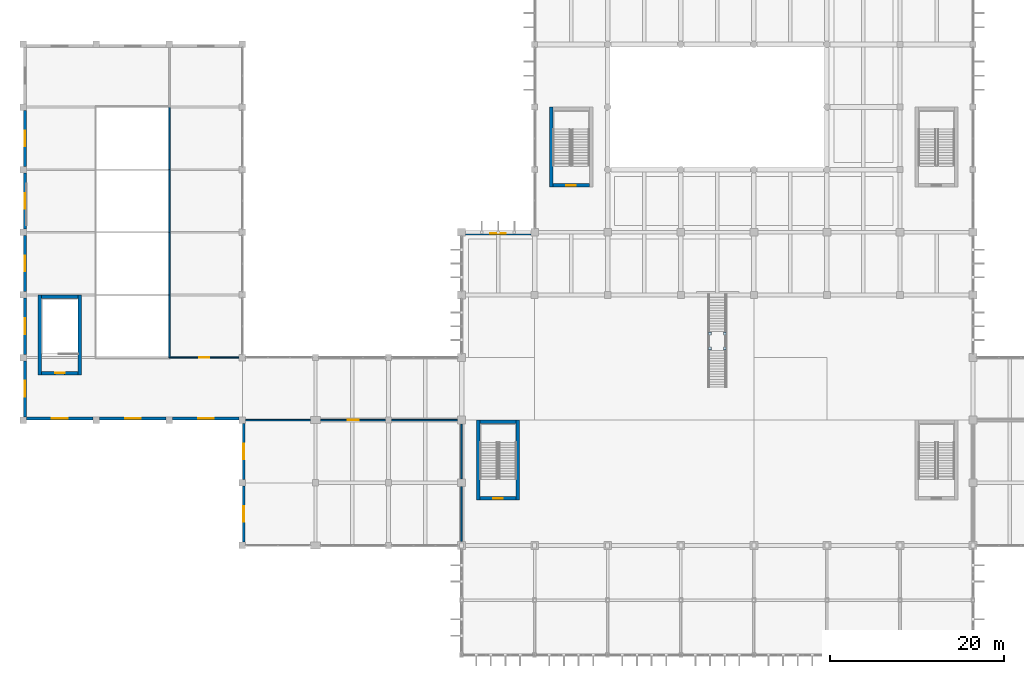
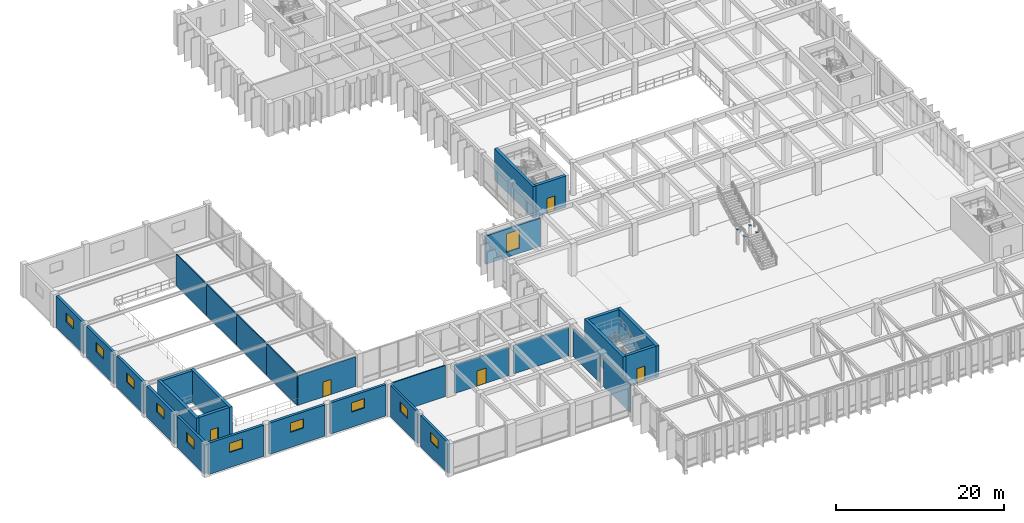
# One storey, part 31 of 51: 31 walls, 11 windows, 5 doors, 4 plates, 16 openings.
"""IFC4 building model written with IfcOpenShell, lengths in metres."""

from ifc_helpers import new_model, si_unit, direction, frame, frame_2d, origin, origin_2d, place, context, subcontext, project, spatial, rectangle, extrude, material, layer, layer_set, type_object, element, fill, save


model = new_model("IFC4")

# Units and contexts
model_context = context("Model", 3, precision=1e-05, world=origin(), true_north=direction((0.0, 1.0)))
body_context = subcontext(model_context, "Body", "Model", "MODEL_VIEW")
ifc_project = project(units=[si_unit("LENGTHUNIT", "METRE"), si_unit("AREAUNIT", "SQUARE_METRE"), si_unit("VOLUMEUNIT", "CUBIC_METRE"), si_unit("PLANEANGLEUNIT", "RADIAN"), si_unit("MASSUNIT", "GRAM", prefix="KILO")], contexts=[model_context])

# Site, building, storey
site_placement = place(None, origin())
site = spatial("IfcSite", under=ifc_project, at=site_placement, CompositionType="ELEMENT")
building_placement = place(site_placement, origin())
building = spatial("IfcBuilding", under=site, at=building_placement, Name="Kenerak Square Central Library", CompositionType="ELEMENT")
storey_placement = place(building_placement, frame((0.0, 0.0, 9.60009765625)))
storey = spatial("IfcBuildingStorey", under=building, at=storey_placement, Name="L02", CompositionType="ELEMENT", Elevation=9.60009765625)

# Plates
ifc_material_1 = material(Name="Steel S355", Category="steel")
ifc_layer_1 = layer(ifc_material_1, 0.02490234375)
ifc_layer_set_1 = layer_set([ifc_layer_1], Name="Steel S355")
plate_type = type_object("IfcPlateType", Name="Lantern Cap Plate LNP-01 25mm S355", PredefinedType="USERDEFINED", material=ifc_layer_set_1)
for number, where, z_axis, x_axis, name in (
    (1, (86.949951171875, 39.449951171875, 2.179931640625), (0.0, 0.0, 1.0), (1.0, 0.0, 0.0), "Feature Stair Post Cap ST-F2"),
    (2, (88.64990234375, 39.449951171875, 2.179931640625), (0.0, 0.0, 1.0), (1.0, 0.0, 0.0), "Feature Stair Post Cap ST-F2"),
    (3, (86.949951171875, 41.14990234375, 2.179931640625), (0.0, 0.0, 1.0), (1.0, 0.0, 0.0), "Feature Stair Post Cap ST-F2"),
    (4, (88.64990234375, 41.14990234375, 2.179931640625), (0.0, 0.0, 1.0), (1.0, 0.0, 0.0), "Feature Stair Post Cap ST-F2"),
):
    element("IfcPlate", number, at=place(storey_placement, frame(where, z_axis=z_axis, x_axis=x_axis)), inside=storey, type_object=plate_type, Name=name, ObjectType="GUSSET PLATE", PredefinedType="USERDEFINED", context=body_context, shape_type="SweptSolid", body=[
        extrude(rectangle(XDim=0.320068359375, YDim=0.320068359375, at=origin_2d()), origin(), (0.0, 0.0, 1.0), 0.0400390625),
    ])

# Wall
ifc_material_2 = material(Name="Precast concrete C40/50", Category="concrete")
ifc_layer_2 = layer(ifc_material_2, 0.14990234375)
ifc_layer_set_2 = layer_set([ifc_layer_2], Name="Precast concrete C40/50")
wall_type_1 = type_object("IfcWallType", Name="Acoustic Blockwork Partition IW-150 C40/50", PredefinedType="PARTITIONING", material=ifc_layer_set_2)
wall_1_placement = place(storey_placement, frame((33.574951171875, 31.199951171875, 0.0), z_axis=(0.0, 0.0, 1.0), x_axis=(1.0, 0.0, 0.0)))
element("IfcWall", 5, at=wall_1_placement, inside=storey, type_object=wall_type_1, Name="Interior Wall IW-L02-02-N2-B1", PredefinedType="PARTITIONING", context=body_context, shape_type="SweptSolid", body=[
    extrude(rectangle(XDim=7.425048828125, YDim=0.14990234375, at=frame_2d((3.71240234375, 0.0))), origin(), (0.0, 0.0, 1.0), 4.5498046875),
])

# Wall, opening, door
wall_2_placement = place(storey_placement, frame((42.199951171875, 31.199951171875, 0.0), z_axis=(0.0, 0.0, 1.0), x_axis=(1.0, 0.0, 0.0)))
wall_2 = element("IfcWall", 6, at=wall_2_placement, inside=storey, type_object=wall_type_1, Name="Interior Wall IW-L02-02-N2-B2", PredefinedType="PARTITIONING", context=body_context, shape_type="SweptSolid", body=[
    extrude(rectangle(XDim=7.449951171875, YDim=0.14990234375, at=frame_2d((3.72509765625, 0.0))), origin(), (0.0, 0.0, 1.0), 4.14990234375),
])
opening_1_placement = place(wall_2_placement, frame((3.10009765625, 0.0, 0.0)))
opening_1 = element("IfcOpeningElement", 7, at=opening_1_placement, cuts=wall_2, Name="Opening ID-06", PredefinedType="OPENING", context=body_context, shape_type="SweptSolid", body=[
    extrude(rectangle(XDim=1.25, YDim=2.199951171875, at=frame_2d((0.625, 1.10009765625))), frame((0.0, 0.0849609375, 0.0), z_axis=(0.0, -1.0, 0.0), x_axis=(1.0, 0.0, 0.0)), (0.0, 0.0, 1.0), 0.169921875),
])
ifc_material_3 = material(Name="Chengal hardwood timber SG1", Category="wood")
door_type_1 = type_object("IfcDoorType", Name="Studio Sliding Acoustic Door ID-1250x2200", OperationType="NOTDEFINED", PredefinedType="DOOR", material=ifc_material_3)
door_1_placement = place(opening_1_placement, origin())
door_1 = element("IfcDoor", 8, at=door_1_placement, inside=storey, type_object=door_type_1, Name="Sound Recording and Oral History Studio Suite Door", OperationType="SLIDING_TO_RIGHT", OverallHeight=2.199951171875, OverallWidth=1.25, PredefinedType="DOOR", context=body_context, shape_type="SweptSolid", body=[
    extrude(rectangle(XDim=1.25, YDim=2.199951171875, at=frame_2d((0.625, 1.10009765625))), frame((0.0, 0.02490234375, 0.0), z_axis=(0.0, -1.0, 0.0), x_axis=(1.0, 0.0, 0.0)), (0.0, 0.0, 1.0), 0.050048828125),
])
fill(opening_1, door_1)

# Wall
wall_3_placement = place(storey_placement, frame((50.35009765625, 31.199951171875, 0.0), z_axis=(0.0, 0.0, 1.0), x_axis=(1.0, 0.0, 0.0)))
element("IfcWall", 9, at=wall_3_placement, inside=storey, type_object=wall_type_1, Name="Interior Wall IW-L02-02-N2-B3", PredefinedType="PARTITIONING", context=body_context, shape_type="SweptSolid", body=[
    extrude(rectangle(XDim=7.599853515625, YDim=0.14990234375, at=frame_2d((3.7998046875, 0.0))), origin(), (0.0, 0.0, 1.0), 4.14990234375),
])

# Wall, opening, door
wall_4_placement = place(storey_placement, frame((32.824951171875, 38.39990234375, 0.0), z_axis=(0.0, 0.0, 1.0), x_axis=(-1.0, 0.0, 0.0)))
wall_4 = element("IfcWall", 10, at=wall_4_placement, inside=storey, type_object=wall_type_1, Name="Interior Wall IW-L02-04-S1-B1", PredefinedType="PARTITIONING", context=body_context, shape_type="SweptSolid", body=[
    extrude(rectangle(XDim=8.02490234375, YDim=0.14990234375, at=frame_2d((4.012451171875, 0.0))), origin(), (0.0, 0.0, 1.0), 4.2998046875),
])
opening_2_placement = place(wall_4_placement, frame((3.4375, 0.0, 0.0)))
opening_2 = element("IfcOpeningElement", 11, at=opening_2_placement, cuts=wall_4, Name="Opening ID-05", PredefinedType="OPENING", context=body_context, shape_type="SweptSolid", body=[
    extrude(rectangle(XDim=1.14990234375, YDim=2.199951171875, at=frame_2d((0.574951171875, 1.10009765625))), frame((0.0, 0.0849609375, 0.0), z_axis=(0.0, -1.0, 0.0), x_axis=(1.0, 0.0, 0.0)), (0.0, 0.0, 1.0), 0.169921875),
])
door_type_2 = type_object("IfcDoorType", Name="Seminar Room Acoustic Door ID-1150x2200", OperationType="NOTDEFINED", PredefinedType="DOOR", material=ifc_material_3)
door_2_placement = place(opening_2_placement, origin())
door_2 = element("IfcDoor", 12, at=door_2_placement, inside=storey, type_object=door_type_2, Name="Auditorium Performers Green Room and Rehearsal Suite Door", OperationType="SINGLE_SWING_LEFT", OverallHeight=2.199951171875, OverallWidth=1.14990234375, PredefinedType="DOOR", context=body_context, shape_type="SweptSolid", body=[
    extrude(rectangle(XDim=1.14990234375, YDim=2.199951171875, at=frame_2d((0.574951171875, 1.10009765625))), frame((0.0, 0.02490234375, 0.0), z_axis=(0.0, -1.0, 0.0), x_axis=(1.0, 0.0, 0.0)), (0.0, 0.0, 1.0), 0.050048828125),
])
fill(opening_2, door_2)

# Walls
for number, where, z_axis, x_axis, name in (
    (13, (58.39990234375, 30.75, 0.0), (0.0, 0.0, 1.0), (0.0, -1.0, 0.0), "Interior Wall IW-L02-02-E4-B1"),
    (14, (58.39990234375, 23.550048828125, 0.0), (0.0, 0.0, 1.0), (0.0, -1.0, 0.0), "Interior Wall IW-L02-02-E4-B2"),
):
    element("IfcWall", number, at=place(storey_placement, frame(where, z_axis=z_axis, x_axis=x_axis)), inside=storey, type_object=wall_type_1, Name=name, PredefinedType="PARTITIONING", context=body_context, shape_type="SweptSolid", body=[
        extrude(rectangle(XDim=6.300048828125, YDim=0.14990234375, at=frame_2d((3.14990234375, 0.0))), origin(), (0.0, 0.0, 1.0), 4.0498046875),
    ])
wall_5_placement = place(storey_placement, frame((24.800048828125, 38.39990234375, 0.0), z_axis=(0.0, 0.0, 1.0), x_axis=(0.0, 1.0, 0.0)))
element("IfcWall", 15, at=wall_5_placement, inside=storey, type_object=wall_type_1, Name="Interior Wall IW-L02-04-W3-B1", PredefinedType="PARTITIONING", context=body_context, shape_type="SweptSolid", body=[
    extrude(rectangle(XDim=7.2001953125, YDim=0.14990234375, at=frame_2d((3.60009765625, 0.0))), origin(), (0.0, 0.0, 1.0), 4.5498046875),
])
for number, where, z_axis, x_axis, name in (
    (16, (24.800048828125, 45.60009765625, 0.0), (0.0, 0.0, 1.0), (0.0, 1.0, 0.0), "Interior Wall IW-L02-04-W3-B2"),
    (17, (24.800048828125, 52.800048828125, 0.0), (0.0, 0.0, 1.0), (0.0, 1.0, 0.0), "Interior Wall IW-L02-04-W3-B3"),
    (18, (24.800048828125, 60.0, 0.0), (0.0, 0.0, 1.0), (0.0, 1.0, 0.0), "Interior Wall IW-L02-04-W3-B4"),
):
    element("IfcWall", number, at=place(storey_placement, frame(where, z_axis=z_axis, x_axis=x_axis)), inside=storey, type_object=wall_type_1, Name=name, PredefinedType="PARTITIONING", context=body_context, shape_type="SweptSolid", body=[
        extrude(rectangle(XDim=7.199951171875, YDim=0.14990234375, at=frame_2d((3.60009765625, 0.0))), origin(), (0.0, 0.0, 1.0), 4.5498046875),
    ])

# Wall, opening, window
ifc_material_4 = material(Name="Concrete C40/50", Category="concrete")
ifc_layer_3 = layer(ifc_material_4, 0.35009765625)
ifc_layer_set_3 = layer_set([ifc_layer_3], Name="Concrete C40/50")
wall_type_2 = type_object("IfcWallType", Name="Auditorium Fluted Acoustic Wall AW-350 C40/50", PredefinedType="SOLIDWALL", material=ifc_layer_set_3)
wall_6_placement = place(storey_placement, frame((32.824951171875, 31.375, 0.0), z_axis=(0.0, 0.0, 1.0), x_axis=(-1.0, 0.0, 0.0)))
wall_6 = element("IfcWall", 19, at=wall_6_placement, inside=storey, type_object=wall_type_2, Name="Exterior Facade Wall L02 0156", PredefinedType="SOLIDWALL", context=body_context, shape_type="SweptSolid", body=[
    extrude(rectangle(XDim=7.64990234375, YDim=0.35009765625, at=frame_2d((3.824951171875, 0.0))), origin(), (0.0, 0.0, 1.0), 4.5498046875),
])
opening_3_placement = place(wall_6_placement, frame((2.925048828125, 0.0, 2.199951171875)))
opening_3 = element("IfcOpeningElement", 20, at=opening_3_placement, cuts=wall_6, Name="Opening W-08", PredefinedType="OPENING", context=body_context, shape_type="SweptSolid", body=[
    extrude(rectangle(XDim=1.800048828125, YDim=1.35009765625, at=frame_2d((0.89990234375, 0.675048828125))), frame((0.0, 0.18505859375, 0.0), z_axis=(0.0, -1.0, 0.0), x_axis=(1.0, 0.0, 0.0)), (0.0, 0.0, 1.0), 0.3701171875),
])
ifc_material_5 = material(Name="Solar-control low-E laminated double glazing", Category="glass")
window_type_1 = type_object("IfcWindowType", Name="Acoustic Clerestory Window W-08 1800x1350", PartitioningType="SINGLE_PANEL", PredefinedType="WINDOW", material=ifc_material_5)
window_1_placement = place(opening_3_placement, origin())
window_1 = element("IfcWindow", 21, at=window_1_placement, inside=storey, type_object=window_type_1, Name="Window W-08 L02 0145", OverallHeight=1.35009765625, OverallWidth=1.800048828125, PartitioningType="SINGLE_PANEL", PredefinedType="WINDOW", context=body_context, shape_type="SweptSolid", body=[
    extrude(rectangle(XDim=1.800048828125, YDim=1.35009765625, at=frame_2d((0.89990234375, 0.675048828125))), frame((0.0, 0.030029296875, 0.0), z_axis=(0.0, -1.0, 0.0), x_axis=(1.0, 0.0, 0.0)), (0.0, 0.0, 1.0), 0.06005859375),
])
fill(opening_3, window_1)

wall_7_placement = place(storey_placement, frame((24.425048828125, 31.375, 0.0), z_axis=(0.0, 0.0, 1.0), x_axis=(-1.0, 0.0, 0.0)))
wall_7 = element("IfcWall", 22, at=wall_7_placement, inside=storey, type_object=wall_type_2, Name="Exterior Facade Wall L02 0157", PredefinedType="SOLIDWALL", context=body_context, shape_type="SweptSolid", body=[
    extrude(rectangle(XDim=7.650146484375, YDim=0.35009765625, at=frame_2d((3.8251953125, 0.0))), origin(), (0.0, 0.0, 1.0), 4.5498046875),
])
opening_4_placement = place(wall_7_placement, frame((2.925048828125, 0.0, 2.199951171875)))
opening_4 = element("IfcOpeningElement", 23, at=opening_4_placement, cuts=wall_7, Name="Opening W-08", PredefinedType="OPENING", context=body_context, shape_type="SweptSolid", body=[
    extrude(rectangle(XDim=1.800048828125, YDim=1.35009765625, at=frame_2d((0.89990234375, 0.675048828125))), frame((0.0, 0.18505859375, 0.0), z_axis=(0.0, -1.0, 0.0), x_axis=(1.0, 0.0, 0.0)), (0.0, 0.0, 1.0), 0.3701171875),
])
window_2_placement = place(opening_4_placement, origin())
window_2 = element("IfcWindow", 24, at=window_2_placement, inside=storey, type_object=window_type_1, Name="Window W-08 L02 0146", OverallHeight=1.35009765625, OverallWidth=1.800048828125, PartitioningType="SINGLE_PANEL", PredefinedType="WINDOW", context=body_context, shape_type="SweptSolid", body=[
    extrude(rectangle(XDim=1.800048828125, YDim=1.35009765625, at=frame_2d((0.89990234375, 0.675048828125))), frame((0.0, 0.030029296875, 0.0), z_axis=(0.0, -1.0, 0.0), x_axis=(1.0, 0.0, 0.0)), (0.0, 0.0, 1.0), 0.06005859375),
])
fill(opening_4, window_2)

wall_8_placement = place(storey_placement, frame((16.02490234375, 31.375, 0.0), z_axis=(0.0, 0.0, 1.0), x_axis=(-1.0, 0.0, 0.0)))
wall_8 = element("IfcWall", 25, at=wall_8_placement, inside=storey, type_object=wall_type_2, Name="Exterior Facade Wall L02 0158", PredefinedType="SOLIDWALL", context=body_context, shape_type="SweptSolid", body=[
    extrude(rectangle(XDim=7.64990234375, YDim=0.35009765625, at=frame_2d((3.824951171875, 0.0))), origin(), (0.0, 0.0, 1.0), 4.5498046875),
])
opening_5_placement = place(wall_8_placement, frame((2.925048828125, 0.0, 2.199951171875)))
opening_5 = element("IfcOpeningElement", 26, at=opening_5_placement, cuts=wall_8, Name="Opening W-08", PredefinedType="OPENING", context=body_context, shape_type="SweptSolid", body=[
    extrude(rectangle(XDim=1.800048828125, YDim=1.35009765625, at=frame_2d((0.89990234375, 0.675048828125))), frame((0.0, 0.18505859375, 0.0), z_axis=(0.0, -1.0, 0.0), x_axis=(1.0, 0.0, 0.0)), (0.0, 0.0, 1.0), 0.3701171875),
])
window_3_placement = place(opening_5_placement, origin())
window_3 = element("IfcWindow", 27, at=window_3_placement, inside=storey, type_object=window_type_1, Name="Window W-08 L02 0147", OverallHeight=1.35009765625, OverallWidth=1.800048828125, PartitioningType="SINGLE_PANEL", PredefinedType="WINDOW", context=body_context, shape_type="SweptSolid", body=[
    extrude(rectangle(XDim=1.800048828125, YDim=1.35009765625, at=frame_2d((0.89990234375, 0.675048828125))), frame((0.0, 0.030029296875, 0.0), z_axis=(0.0, -1.0, 0.0), x_axis=(1.0, 0.0, 0.0)), (0.0, 0.0, 1.0), 0.06005859375),
])
fill(opening_5, window_3)

wall_9_placement = place(storey_placement, frame((8.175048828125, 31.574951171875, 0.0), z_axis=(0.0, 0.0, 1.0), x_axis=(0.0, 1.0, 0.0)))
wall_9 = element("IfcWall", 28, at=wall_9_placement, inside=storey, type_object=wall_type_2, Name="Exterior Facade Wall L02 0159", PredefinedType="SOLIDWALL", context=body_context, shape_type="SweptSolid", body=[
    extrude(rectangle(XDim=6.449951171875, YDim=0.35009765625, at=frame_2d((3.22509765625, 0.0))), origin(), (0.0, 0.0, 1.0), 4.5498046875),
])
opening_6_placement = place(wall_9_placement, frame((2.324951171875, 0.0, 2.199951171875)))
opening_6 = element("IfcOpeningElement", 29, at=opening_6_placement, cuts=wall_9, Name="Opening W-08", PredefinedType="OPENING", context=body_context, shape_type="SweptSolid", body=[
    extrude(rectangle(XDim=1.800048828125, YDim=1.35009765625, at=frame_2d((0.89990234375, 0.675048828125))), frame((0.0, 0.18505859375, 0.0), z_axis=(0.0, -1.0, 0.0), x_axis=(1.0, 0.0, 0.0)), (0.0, 0.0, 1.0), 0.3701171875),
])
window_4_placement = place(opening_6_placement, origin())
window_4 = element("IfcWindow", 30, at=window_4_placement, inside=storey, type_object=window_type_1, Name="Window W-08 L02 0148", OverallHeight=1.35009765625, OverallWidth=1.800048828125, PartitioningType="SINGLE_PANEL", PredefinedType="WINDOW", context=body_context, shape_type="SweptSolid", body=[
    extrude(rectangle(XDim=1.800048828125, YDim=1.35009765625, at=frame_2d((0.89990234375, 0.675048828125))), frame((0.0, 0.030029296875, 0.0), z_axis=(0.0, -1.0, 0.0), x_axis=(1.0, 0.0, 0.0)), (0.0, 0.0, 1.0), 0.06005859375),
])
fill(opening_6, window_4)

wall_10_placement = place(storey_placement, frame((8.175048828125, 38.77490234375, 0.0), z_axis=(0.0, 0.0, 1.0), x_axis=(0.0, 1.0, 0.0)))
wall_10 = element("IfcWall", 31, at=wall_10_placement, inside=storey, type_object=wall_type_2, Name="Exterior Facade Wall L02 0160", PredefinedType="SOLIDWALL", context=body_context, shape_type="SweptSolid", body=[
    extrude(rectangle(XDim=6.4501953125, YDim=0.35009765625, at=frame_2d((3.22509765625, 0.0))), origin(), (0.0, 0.0, 1.0), 4.5498046875),
])
opening_7_placement = place(wall_10_placement, frame((2.324951171875, 0.0, 2.199951171875)))
opening_7 = element("IfcOpeningElement", 32, at=opening_7_placement, cuts=wall_10, Name="Opening W-08", PredefinedType="OPENING", context=body_context, shape_type="SweptSolid", body=[
    extrude(rectangle(XDim=1.800048828125, YDim=1.35009765625, at=frame_2d((0.89990234375, 0.675048828125))), frame((0.0, 0.18505859375, 0.0), z_axis=(0.0, -1.0, 0.0), x_axis=(1.0, 0.0, 0.0)), (0.0, 0.0, 1.0), 0.3701171875),
])
window_5_placement = place(opening_7_placement, origin())
window_5 = element("IfcWindow", 33, at=window_5_placement, inside=storey, type_object=window_type_1, Name="Window W-08 L02 0149", OverallHeight=1.35009765625, OverallWidth=1.800048828125, PartitioningType="SINGLE_PANEL", PredefinedType="WINDOW", context=body_context, shape_type="SweptSolid", body=[
    extrude(rectangle(XDim=1.800048828125, YDim=1.35009765625, at=frame_2d((0.89990234375, 0.675048828125))), frame((0.0, 0.030029296875, 0.0), z_axis=(0.0, -1.0, 0.0), x_axis=(1.0, 0.0, 0.0)), (0.0, 0.0, 1.0), 0.06005859375),
])
fill(opening_7, window_5)

wall_11_placement = place(storey_placement, frame((8.175048828125, 45.97509765625, 0.0), z_axis=(0.0, 0.0, 1.0), x_axis=(0.0, 1.0, 0.0)))
wall_11 = element("IfcWall", 34, at=wall_11_placement, inside=storey, type_object=wall_type_2, Name="Exterior Facade Wall L02 0161", PredefinedType="SOLIDWALL", context=body_context, shape_type="SweptSolid", body=[
    extrude(rectangle(XDim=6.449951171875, YDim=0.35009765625, at=frame_2d((3.22509765625, 0.0))), origin(), (0.0, 0.0, 1.0), 4.5498046875),
])
opening_8_placement = place(wall_11_placement, frame((2.324951171875, 0.0, 2.199951171875)))
opening_8 = element("IfcOpeningElement", 35, at=opening_8_placement, cuts=wall_11, Name="Opening W-08", PredefinedType="OPENING", context=body_context, shape_type="SweptSolid", body=[
    extrude(rectangle(XDim=1.800048828125, YDim=1.35009765625, at=frame_2d((0.89990234375, 0.675048828125))), frame((0.0, 0.18505859375, 0.0), z_axis=(0.0, -1.0, 0.0), x_axis=(1.0, 0.0, 0.0)), (0.0, 0.0, 1.0), 0.3701171875),
])
window_6_placement = place(opening_8_placement, origin())
window_6 = element("IfcWindow", 36, at=window_6_placement, inside=storey, type_object=window_type_1, Name="Window W-08 L02 0150", OverallHeight=1.35009765625, OverallWidth=1.800048828125, PartitioningType="SINGLE_PANEL", PredefinedType="WINDOW", context=body_context, shape_type="SweptSolid", body=[
    extrude(rectangle(XDim=1.800048828125, YDim=1.35009765625, at=frame_2d((0.89990234375, 0.675048828125))), frame((0.0, 0.030029296875, 0.0), z_axis=(0.0, -1.0, 0.0), x_axis=(1.0, 0.0, 0.0)), (0.0, 0.0, 1.0), 0.06005859375),
])
fill(opening_8, window_6)

wall_12_placement = place(storey_placement, frame((8.175048828125, 53.175048828125, 0.0), z_axis=(0.0, 0.0, 1.0), x_axis=(0.0, 1.0, 0.0)))
wall_12 = element("IfcWall", 37, at=wall_12_placement, inside=storey, type_object=wall_type_2, Name="Exterior Facade Wall L02 0162", PredefinedType="SOLIDWALL", context=body_context, shape_type="SweptSolid", body=[
    extrude(rectangle(XDim=6.449951171875, YDim=0.35009765625, at=frame_2d((3.22509765625, 0.0))), origin(), (0.0, 0.0, 1.0), 4.5498046875),
])
opening_9_placement = place(wall_12_placement, frame((2.324951171875, 0.0, 2.199951171875)))
opening_9 = element("IfcOpeningElement", 38, at=opening_9_placement, cuts=wall_12, Name="Opening W-08", PredefinedType="OPENING", context=body_context, shape_type="SweptSolid", body=[
    extrude(rectangle(XDim=1.800048828125, YDim=1.35009765625, at=frame_2d((0.89990234375, 0.675048828125))), frame((0.0, 0.18505859375, 0.0), z_axis=(0.0, -1.0, 0.0), x_axis=(1.0, 0.0, 0.0)), (0.0, 0.0, 1.0), 0.3701171875),
])
window_7_placement = place(opening_9_placement, origin())
window_7 = element("IfcWindow", 39, at=window_7_placement, inside=storey, type_object=window_type_1, Name="Window W-08 L02 0151", OverallHeight=1.35009765625, OverallWidth=1.800048828125, PartitioningType="SINGLE_PANEL", PredefinedType="WINDOW", context=body_context, shape_type="SweptSolid", body=[
    extrude(rectangle(XDim=1.800048828125, YDim=1.35009765625, at=frame_2d((0.89990234375, 0.675048828125))), frame((0.0, 0.030029296875, 0.0), z_axis=(0.0, -1.0, 0.0), x_axis=(1.0, 0.0, 0.0)), (0.0, 0.0, 1.0), 0.06005859375),
])
fill(opening_9, window_7)

wall_13_placement = place(storey_placement, frame((8.175048828125, 60.375, 0.0), z_axis=(0.0, 0.0, 1.0), x_axis=(0.0, 1.0, 0.0)))
wall_13 = element("IfcWall", 40, at=wall_13_placement, inside=storey, type_object=wall_type_2, Name="Exterior Facade Wall L02 0163", PredefinedType="SOLIDWALL", context=body_context, shape_type="SweptSolid", body=[
    extrude(rectangle(XDim=6.449951171875, YDim=0.35009765625, at=frame_2d((3.22509765625, 0.0))), origin(), (0.0, 0.0, 1.0), 4.5498046875),
])
opening_10_placement = place(wall_13_placement, frame((2.324951171875, 0.0, 2.199951171875)))
opening_10 = element("IfcOpeningElement", 41, at=opening_10_placement, cuts=wall_13, Name="Opening W-08", PredefinedType="OPENING", context=body_context, shape_type="SweptSolid", body=[
    extrude(rectangle(XDim=1.800048828125, YDim=1.35009765625, at=frame_2d((0.89990234375, 0.675048828125))), frame((0.0, 0.18505859375, 0.0), z_axis=(0.0, -1.0, 0.0), x_axis=(1.0, 0.0, 0.0)), (0.0, 0.0, 1.0), 0.3701171875),
])
window_8_placement = place(opening_10_placement, origin())
window_8 = element("IfcWindow", 42, at=window_8_placement, inside=storey, type_object=window_type_1, Name="Window W-08 L02 0152", OverallHeight=1.35009765625, OverallWidth=1.800048828125, PartitioningType="SINGLE_PANEL", PredefinedType="WINDOW", context=body_context, shape_type="SweptSolid", body=[
    extrude(rectangle(XDim=1.800048828125, YDim=1.35009765625, at=frame_2d((0.89990234375, 0.675048828125))), frame((0.0, 0.030029296875, 0.0), z_axis=(0.0, -1.0, 0.0), x_axis=(1.0, 0.0, 0.0)), (0.0, 0.0, 1.0), 0.06005859375),
])
fill(opening_10, window_8)

ifc_layer_4 = layer(ifc_material_4, 0.300048828125)
ifc_layer_set_4 = layer_set([ifc_layer_4], Name="Concrete C40/50")
wall_type_3 = type_object("IfcWallType", Name="Board-Marked Brutalist Facade Wall EW-300 C40/50", PredefinedType="SOLIDWALL", material=ifc_layer_set_4)
wall_14_placement = place(storey_placement, frame((58.85009765625, 52.64990234375, 0.0), z_axis=(0.0, 0.0, 1.0), x_axis=(1.0, 0.0, 0.0)))
wall_14 = element("IfcWall", 43, at=wall_14_placement, inside=storey, type_object=wall_type_3, Name="Exterior Facade Wall L02 0168", PredefinedType="SOLIDWALL", context=body_context, shape_type="SweptSolid", body=[
    extrude(rectangle(XDim=7.5, YDim=0.300048828125, at=frame_2d((3.75, 0.0))), origin(), (0.0, 0.0, 1.0), 4.099853515625),
])
opening_11_placement = place(wall_14_placement, frame((2.85009765625, 0.0, 0.75)))
opening_11 = element("IfcOpeningElement", 44, at=opening_11_placement, cuts=wall_14, Name="Opening W-10", PredefinedType="OPENING", context=body_context, shape_type="SweptSolid", body=[
    extrude(rectangle(XDim=1.800048828125, YDim=2.699951171875, at=frame_2d((0.89990234375, 1.35009765625))), frame((0.0, 0.159912109375, 0.0), z_axis=(0.0, -1.0, 0.0), x_axis=(1.0, 0.0, 0.0)), (0.0, 0.0, 1.0), 0.320068359375),
])
window_type_2 = type_object("IfcWindowType", Name="Reading Gallery Tall Window W-10 1800x2700", PartitioningType="SINGLE_PANEL", PredefinedType="WINDOW", material=ifc_material_5)
window_9_placement = place(opening_11_placement, origin())
window_9 = element("IfcWindow", 45, at=window_9_placement, inside=storey, type_object=window_type_2, Name="Window W-10 L02 0157", OverallHeight=2.699951171875, OverallWidth=1.800048828125, PartitioningType="SINGLE_PANEL", PredefinedType="WINDOW", context=body_context, shape_type="SweptSolid", body=[
    extrude(rectangle(XDim=1.800048828125, YDim=2.699951171875, at=frame_2d((0.89990234375, 1.35009765625))), frame((0.0, 0.030029296875, 0.0), z_axis=(0.0, -1.0, 0.0), x_axis=(1.0, 0.0, 0.0)), (0.0, 0.0, 1.0), 0.06005859375),
])
fill(opening_11, window_9)

wall_15_placement = place(storey_placement, frame((33.35009765625, 17.175048828125, 0.0), z_axis=(0.0, 0.0, 1.0), x_axis=(0.0, 1.0, 0.0)))
wall_15 = element("IfcWall", 46, at=wall_15_placement, inside=storey, type_object=wall_type_3, Name="Exterior Facade Wall L02 0192", PredefinedType="SOLIDWALL", context=body_context, shape_type="SweptSolid", body=[
    extrude(rectangle(XDim=6.449951171875, YDim=0.300048828125, at=frame_2d((3.22509765625, 0.0))), origin(), (0.0, 0.0, 1.0), 4.5498046875),
])
opening_12_placement = place(wall_15_placement, frame((2.324951171875, 0.0, 2.199951171875)))
opening_12 = element("IfcOpeningElement", 47, at=opening_12_placement, cuts=wall_15, Name="Opening W-08", PredefinedType="OPENING", context=body_context, shape_type="SweptSolid", body=[
    extrude(rectangle(XDim=1.800048828125, YDim=1.35009765625, at=frame_2d((0.89990234375, 0.675048828125))), frame((0.0, 0.159912109375, 0.0), z_axis=(0.0, -1.0, 0.0), x_axis=(1.0, 0.0, 0.0)), (0.0, 0.0, 1.0), 0.320068359375),
])
window_10_placement = place(opening_12_placement, origin())
window_10 = element("IfcWindow", 48, at=window_10_placement, inside=storey, type_object=window_type_1, Name="Window W-08 L02 0199", OverallHeight=1.35009765625, OverallWidth=1.800048828125, PartitioningType="SINGLE_PANEL", PredefinedType="WINDOW", context=body_context, shape_type="SweptSolid", body=[
    extrude(rectangle(XDim=1.800048828125, YDim=1.35009765625, at=frame_2d((0.89990234375, 0.675048828125))), frame((0.0, 0.030029296875, 0.0), z_axis=(0.0, -1.0, 0.0), x_axis=(1.0, 0.0, 0.0)), (0.0, 0.0, 1.0), 0.06005859375),
])
fill(opening_12, window_10)

wall_16_placement = place(storey_placement, frame((33.35009765625, 24.375, 0.0), z_axis=(0.0, 0.0, 1.0), x_axis=(0.0, 1.0, 0.0)))
wall_16 = element("IfcWall", 49, at=wall_16_placement, inside=storey, type_object=wall_type_3, Name="Exterior Facade Wall L02 0193", PredefinedType="SOLIDWALL", context=body_context, shape_type="SweptSolid", body=[
    extrude(rectangle(XDim=6.449951171875, YDim=0.300048828125, at=frame_2d((3.22509765625, 0.0))), origin(), (0.0, 0.0, 1.0), 4.5498046875),
])
opening_13_placement = place(wall_16_placement, frame((2.324951171875, 0.0, 2.199951171875)))
opening_13 = element("IfcOpeningElement", 50, at=opening_13_placement, cuts=wall_16, Name="Opening W-08", PredefinedType="OPENING", context=body_context, shape_type="SweptSolid", body=[
    extrude(rectangle(XDim=1.800048828125, YDim=1.35009765625, at=frame_2d((0.89990234375, 0.675048828125))), frame((0.0, 0.159912109375, 0.0), z_axis=(0.0, -1.0, 0.0), x_axis=(1.0, 0.0, 0.0)), (0.0, 0.0, 1.0), 0.320068359375),
])
window_11_placement = place(opening_13_placement, origin())
window_11 = element("IfcWindow", 51, at=window_11_placement, inside=storey, type_object=window_type_1, Name="Window W-08 L02 0200", OverallHeight=1.35009765625, OverallWidth=1.800048828125, PartitioningType="SINGLE_PANEL", PredefinedType="WINDOW", context=body_context, shape_type="SweptSolid", body=[
    extrude(rectangle(XDim=1.800048828125, YDim=1.35009765625, at=frame_2d((0.89990234375, 0.675048828125))), frame((0.0, 0.030029296875, 0.0), z_axis=(0.0, -1.0, 0.0), x_axis=(1.0, 0.0, 0.0)), (0.0, 0.0, 1.0), 0.06005859375),
])
fill(opening_13, window_11)

# Walls
ifc_layer_5 = layer(ifc_material_4, 0.39990234375)
ifc_layer_set_5 = layer_set([ifc_layer_5], Name="Concrete C40/50")
wall_type_4 = type_object("IfcWallType", Name="Core Shear Wall CW-400 C40/50", PredefinedType="SHEAR", material=ifc_layer_set_5)
for number, where, z_axis, x_axis, name in (
    (52, (60.320068359375, 22.0, 0.0), (0.0, 0.0, 1.0), (0.0, 1.0, 0.0), "Core Wall CW-C4 L02 West"),
    (53, (64.8798828125, 31.199951171875, 0.0), (0.0, 0.0, 1.0), (0.0, -1.0, 0.0), "Core Wall CW-C4 L02 East"),
):
    element("IfcWall", number, at=place(storey_placement, frame(where, z_axis=z_axis, x_axis=x_axis)), inside=storey, type_object=wall_type_4, Name=name, PredefinedType="SHEAR", context=body_context, shape_type="SweptSolid", body=[
        extrude(rectangle(XDim=9.199951171875, YDim=0.39990234375, at=frame_2d((4.60009765625, 0.0))), origin(), (0.0, 0.0, 1.0), 4.574951171875),
    ])

# Wall, opening, door
wall_17_placement = place(storey_placement, frame((64.679931640625, 22.199951171875, 0.0), z_axis=(0.0, 0.0, 1.0), x_axis=(-1.0, 0.0, 0.0)))
wall_17 = element("IfcWall", 54, at=wall_17_placement, inside=storey, type_object=wall_type_4, Name="Core Wall CW-C4 L02 South", PredefinedType="SHEAR", context=body_context, shape_type="SweptSolid", body=[
    extrude(rectangle(XDim=4.159912109375, YDim=0.39990234375, at=frame_2d((2.080078125, 0.0))), origin(), (0.0, 0.0, 1.0), 4.574951171875),
])
opening_14_placement = place(wall_17_placement, frame((1.530029296875, 0.0, 0.0)))
opening_14 = element("IfcOpeningElement", 55, at=opening_14_placement, cuts=wall_17, Name="Opening D-ST1", PredefinedType="OPENING", context=body_context, shape_type="SweptSolid", body=[
    extrude(rectangle(XDim=1.10009765625, YDim=2.199951171875, at=frame_2d((0.550048828125, 1.10009765625))), frame((0.0, 0.2099609375, 0.0), z_axis=(0.0, -1.0, 0.0), x_axis=(1.0, 0.0, 0.0)), (0.0, 0.0, 1.0), 0.419921875),
])
door_type_3 = type_object("IfcDoorType", Name="Protected Stair Fire Door FD-1100x2200 FD60S", OperationType="NOTDEFINED", PredefinedType="DOOR", material=ifc_material_1)
door_3_placement = place(opening_14_placement, frame((1.10009765625, 0.0, 0.0), z_axis=(0.0, 0.0, 1.0), x_axis=(-1.0, 0.0, 0.0)))
door_3 = element("IfcDoor", 56, at=door_3_placement, inside=storey, type_object=door_type_3, Name="Stair Door ST-04 L02", OperationType="SINGLE_SWING_RIGHT", OverallHeight=2.199951171875, OverallWidth=1.10009765625, PredefinedType="DOOR", context=body_context, shape_type="SweptSolid", body=[
    extrude(rectangle(XDim=1.10009765625, YDim=2.199951171875, at=frame_2d((0.550048828125, 1.10009765625))), frame((0.0, 0.02490234375, 0.0), z_axis=(0.0, -1.0, 0.0), x_axis=(1.0, 0.0, 0.0)), (0.0, 0.0, 1.0), 0.050048828125),
])
fill(opening_14, door_3)

# Walls
wall_18_placement = place(storey_placement, frame((60.52001953125, 31.0, 0.0), z_axis=(0.0, 0.0, 1.0), x_axis=(1.0, 0.0, 0.0)))
element("IfcWall", 57, at=wall_18_placement, inside=storey, type_object=wall_type_4, Name="Core Wall CW-C4 L02 North", PredefinedType="SHEAR", context=body_context, shape_type="SweptSolid", body=[
    extrude(rectangle(XDim=4.159912109375, YDim=0.39990234375, at=frame_2d((2.080078125, 0.0))), origin(), (0.0, 0.0, 1.0), 4.574951171875),
])
for number, where, z_axis, x_axis, name in (
    (58, (9.919921875, 36.39990234375, 0.0), (0.0, 0.0, 1.0), (0.0, 1.0, 0.0), "Core Wall CW-C6 L02 West"),
    (59, (14.47998046875, 45.60009765625, 0.0), (0.0, 0.0, 1.0), (0.0, -1.0, 0.0), "Core Wall CW-C6 L02 East"),
):
    element("IfcWall", number, at=place(storey_placement, frame(where, z_axis=z_axis, x_axis=x_axis)), inside=storey, type_object=wall_type_4, Name=name, PredefinedType="SHEAR", context=body_context, shape_type="SweptSolid", body=[
        extrude(rectangle(XDim=9.2001953125, YDim=0.39990234375, at=frame_2d((4.60009765625, 0.0))), origin(), (0.0, 0.0, 1.0), 4.574951171875),
    ])

# Wall, opening, door
wall_19_placement = place(storey_placement, frame((14.280029296875, 36.60009765625, 0.0), z_axis=(0.0, 0.0, 1.0), x_axis=(-1.0, 0.0, 0.0)))
wall_19 = element("IfcWall", 60, at=wall_19_placement, inside=storey, type_object=wall_type_4, Name="Core Wall CW-C6 L02 South", PredefinedType="SHEAR", context=body_context, shape_type="SweptSolid", body=[
    extrude(rectangle(XDim=4.159912109375, YDim=0.39990234375, at=frame_2d((2.080078125, 0.0))), origin(), (0.0, 0.0, 1.0), 4.574951171875),
])
opening_15_placement = place(wall_19_placement, frame((1.530029296875, 0.0, 0.0)))
opening_15 = element("IfcOpeningElement", 61, at=opening_15_placement, cuts=wall_19, Name="Opening D-ST1", PredefinedType="OPENING", context=body_context, shape_type="SweptSolid", body=[
    extrude(rectangle(XDim=1.10009765625, YDim=2.199951171875, at=frame_2d((0.550048828125, 1.10009765625))), frame((0.0, 0.2099609375, 0.0), z_axis=(0.0, -1.0, 0.0), x_axis=(1.0, 0.0, 0.0)), (0.0, 0.0, 1.0), 0.419921875),
])
door_4_placement = place(opening_15_placement, frame((1.10009765625, 0.0, 0.0), z_axis=(0.0, 0.0, 1.0), x_axis=(-1.0, 0.0, 0.0)))
door_4 = element("IfcDoor", 62, at=door_4_placement, inside=storey, type_object=door_type_3, Name="Stair Door ST-06 L02", OperationType="SINGLE_SWING_RIGHT", OverallHeight=2.199951171875, OverallWidth=1.10009765625, PredefinedType="DOOR", context=body_context, shape_type="SweptSolid", body=[
    extrude(rectangle(XDim=1.10009765625, YDim=2.199951171875, at=frame_2d((0.550048828125, 1.10009765625))), frame((0.0, 0.02490234375, 0.0), z_axis=(0.0, -1.0, 0.0), x_axis=(1.0, 0.0, 0.0)), (0.0, 0.0, 1.0), 0.050048828125),
])
fill(opening_15, door_4)

# Walls
wall_20_placement = place(storey_placement, frame((10.1201171875, 45.39990234375, 0.0), z_axis=(0.0, 0.0, 1.0), x_axis=(1.0, 0.0, 0.0)))
element("IfcWall", 63, at=wall_20_placement, inside=storey, type_object=wall_type_4, Name="Core Wall CW-C6 L02 North", PredefinedType="SHEAR", context=body_context, shape_type="SweptSolid", body=[
    extrude(rectangle(XDim=4.159912109375, YDim=0.39990234375, at=frame_2d((2.080078125, 0.0))), origin(), (0.0, 0.0, 1.0), 4.574951171875),
])
wall_21_placement = place(storey_placement, frame((68.719970703125, 58.0, 0.0), z_axis=(0.0, 0.0, 1.0), x_axis=(0.0, 1.0, 0.0)))
element("IfcWall", 64, at=wall_21_placement, inside=storey, type_object=wall_type_4, Name="Core Wall CW-C8 L02 West", PredefinedType="SHEAR", context=body_context, shape_type="SweptSolid", body=[
    extrude(rectangle(XDim=9.199951171875, YDim=0.39990234375, at=frame_2d((4.60009765625, 0.0))), origin(), (0.0, 0.0, 1.0), 4.574951171875),
])

# Wall, opening, door
wall_22_placement = place(storey_placement, frame((73.080078125, 58.199951171875, 0.0), z_axis=(0.0, 0.0, 1.0), x_axis=(-1.0, 0.0, 0.0)))
wall_22 = element("IfcWall", 65, at=wall_22_placement, inside=storey, type_object=wall_type_4, Name="Core Wall CW-C8 L02 South", PredefinedType="SHEAR", context=body_context, shape_type="SweptSolid", body=[
    extrude(rectangle(XDim=4.16015625, YDim=0.39990234375, at=frame_2d((2.080078125, 0.0))), origin(), (0.0, 0.0, 1.0), 4.574951171875),
])
opening_16_placement = place(wall_22_placement, frame((1.530029296875, 0.0, 0.0)))
opening_16 = element("IfcOpeningElement", 66, at=opening_16_placement, cuts=wall_22, Name="Opening D-ST1", PredefinedType="OPENING", context=body_context, shape_type="SweptSolid", body=[
    extrude(rectangle(XDim=1.10009765625, YDim=2.199951171875, at=frame_2d((0.550048828125, 1.10009765625))), frame((0.0, 0.2099609375, 0.0), z_axis=(0.0, -1.0, 0.0), x_axis=(1.0, 0.0, 0.0)), (0.0, 0.0, 1.0), 0.419921875),
])
door_5_placement = place(opening_16_placement, frame((1.10009765625, 0.0, 0.0), z_axis=(0.0, 0.0, 1.0), x_axis=(-1.0, 0.0, 0.0)))
door_5 = element("IfcDoor", 67, at=door_5_placement, inside=storey, type_object=door_type_3, Name="Stair Door ST-08 L02", OperationType="SINGLE_SWING_RIGHT", OverallHeight=2.199951171875, OverallWidth=1.10009765625, PredefinedType="DOOR", context=body_context, shape_type="SweptSolid", body=[
    extrude(rectangle(XDim=1.10009765625, YDim=2.199951171875, at=frame_2d((0.550048828125, 1.10009765625))), frame((0.0, 0.02490234375, 0.0), z_axis=(0.0, -1.0, 0.0), x_axis=(1.0, 0.0, 0.0)), (0.0, 0.0, 1.0), 0.050048828125),
])
fill(opening_16, door_5)

save(model, "model.ifc")
